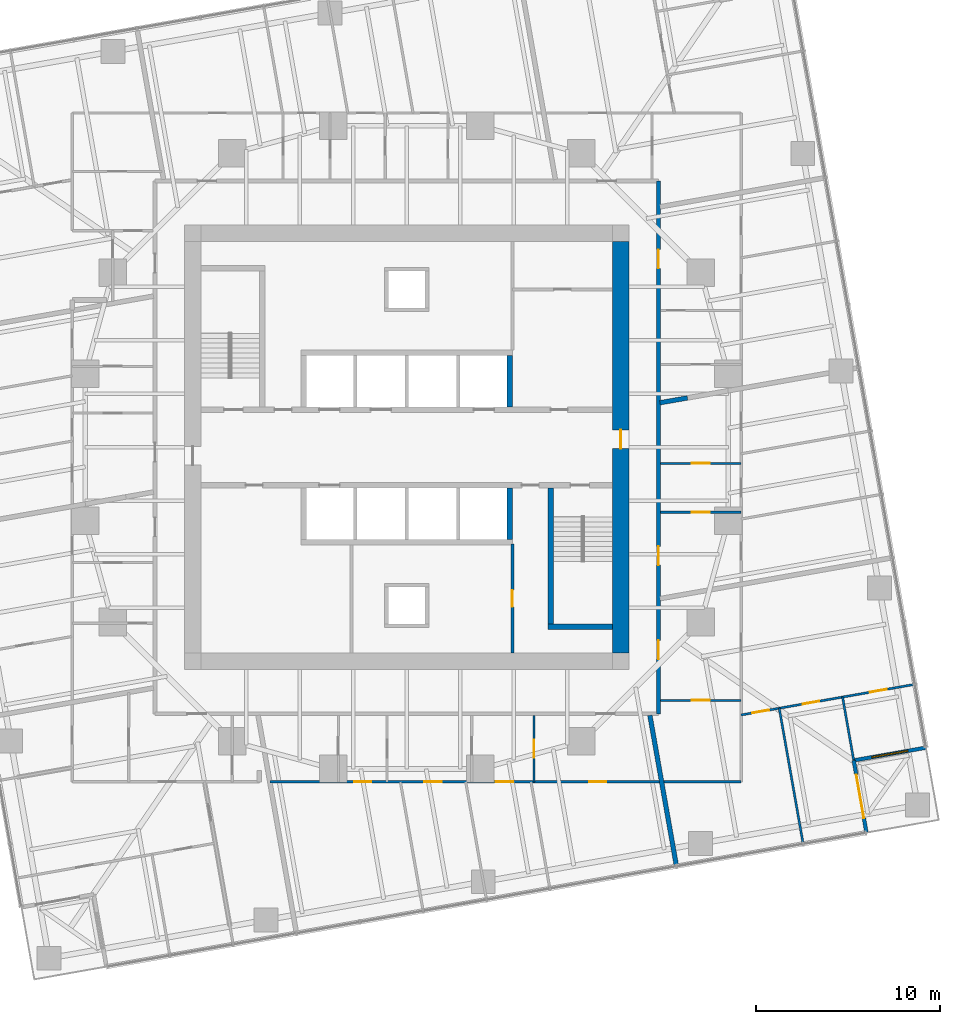
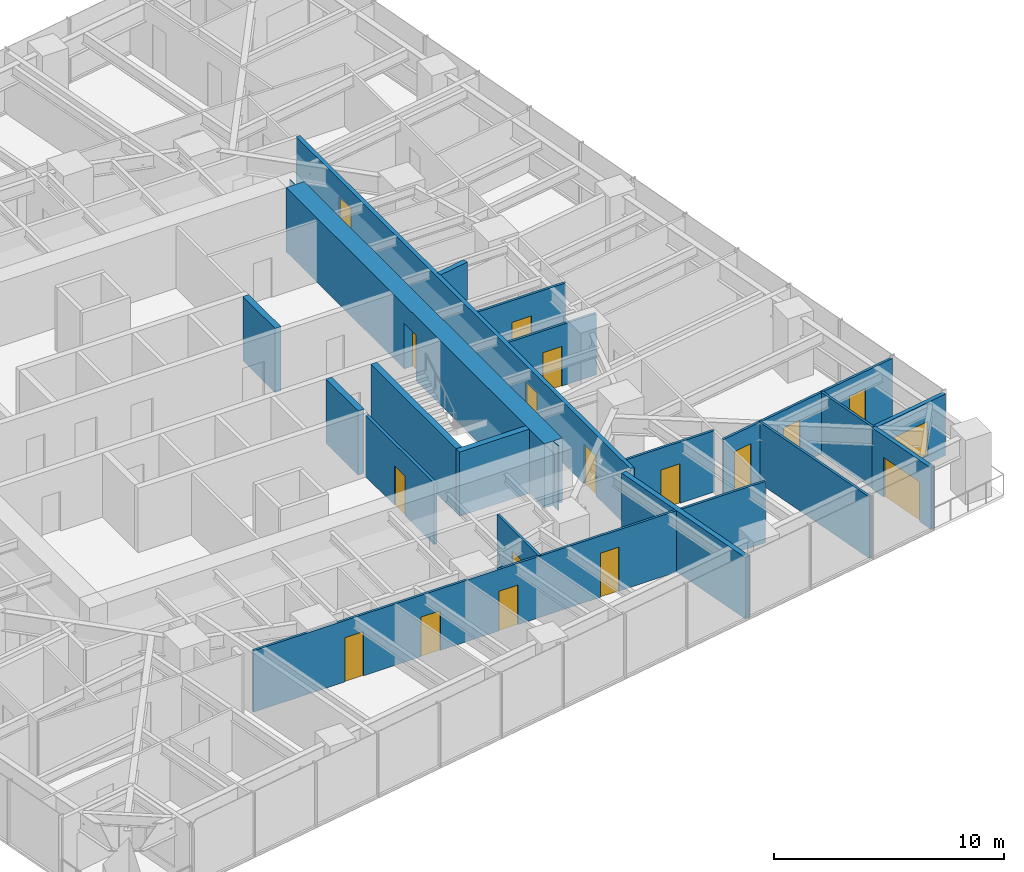
# One storey, part 10 of 14: 19 walls, 17 doors, 1 window, 18 openings.
"""IFC4 building model written with IfcOpenShell, lengths in metres."""

from ifc_helpers import new_model, si_unit, direction, frame, frame_2d, origin, place, context, subcontext, project, spatial, polyline, rectangle, outline, extrude, material, layer, layer_set, type_object, element, fill, save


model = new_model("IFC4")

# Units and contexts
model_context = context("Model", 3, precision=1e-05, world=origin(), true_north=direction((0.0, 1.0)))
body_context = subcontext(model_context, "Body", "Model", "MODEL_VIEW")
ifc_project = project(units=[si_unit("LENGTHUNIT", "METRE"), si_unit("AREAUNIT", "SQUARE_METRE"), si_unit("VOLUMEUNIT", "CUBIC_METRE"), si_unit("PLANEANGLEUNIT", "RADIAN"), si_unit("MASSUNIT", "GRAM", prefix="KILO")], contexts=[model_context])

# Site, building, storey
site_placement = place(None, origin())
site = spatial("IfcSite", under=ifc_project, at=site_placement, CompositionType="ELEMENT")
building_placement = place(site_placement, origin())
building = spatial("IfcBuilding", under=site, at=building_placement, Name="Torsade Residences", CompositionType="ELEMENT")
storey_placement = place(building_placement, frame((0.0, 0.0, 99.800048828125)))
storey = spatial("IfcBuildingStorey", under=building, at=storey_placement, Name="L27", CompositionType="ELEMENT", Elevation=99.800048828125)

# Walls
ifc_material_1 = material(Name="Concrete 80 MPa", Category="concrete")
ifc_layer_1 = layer(ifc_material_1, 0.300048828125)
ifc_layer_set_1 = layer_set([ifc_layer_1], Name="Concrete 80 MPa")
wall_type_1 = type_object("IfcWallType", Name="CORE INTERNAL WALL 300", PredefinedType="SHEAR", material=ifc_layer_set_1)
for number, where, z_axis, x_axis, name in (
    (1, (45.60009765625, 27.800048828125, 0.0), (0.0, 0.0, 1.0), (0.0, -1.0, 0.0), "Core wall DS0 L27"),
    (2, (45.60009765625, 32.199951171875, 0.0), (0.0, 0.0, 1.0), (0.0, 1.0, 0.0), "Core wall DN4 L27"),
):
    element("IfcWall", number, at=place(storey_placement, frame(where, z_axis=z_axis, x_axis=x_axis)), inside=storey, type_object=wall_type_1, Name=name, PredefinedType="SHEAR", context=body_context, shape_type="SweptSolid", body=[
        extrude(rectangle(XDim=2.800048828125, YDim=0.300048828125, at=frame_2d((1.39990234375, 0.0))), origin(), (0.0, 0.0, 1.0), 3.39990234375),
    ])
wall_1_placement = place(storey_placement, frame((47.85009765625, 27.800048828125, 0.0), z_axis=(0.0, 0.0, 1.0), x_axis=(0.0, -1.0, 0.0)))
element("IfcWall", 3, at=wall_1_placement, inside=storey, type_object=wall_type_1, Name="Core wall ST2W L27", PredefinedType="SHEAR", context=body_context, shape_type="SweptSolid", body=[
    extrude(rectangle(XDim=7.699951171875, YDim=0.300048828125, at=frame_2d((3.85009765625, 0.0))), origin(), (0.0, 0.0, 1.0), 3.39990234375),
])
wall_2_placement = place(storey_placement, frame((51.199951171875, 20.25, 0.0), z_axis=(0.0, 0.0, 1.0), x_axis=(-1.0, 0.0, 0.0)))
element("IfcWall", 4, at=wall_2_placement, inside=storey, type_object=wall_type_1, Name="Core wall ST2S L27", PredefinedType="SHEAR", context=body_context, shape_type="SweptSolid", body=[
    extrude(rectangle(XDim=3.5, YDim=0.300048828125, at=frame_2d((1.75, 0.0))), origin(), (0.0, 0.0, 1.0), 3.39990234375),
])

# Wall, opening, door
ifc_material_2 = material(Name="Concrete 80 MPa", Category="concrete")
ifc_layer_2 = layer(ifc_material_2, 0.89990234375)
ifc_layer_set_2 = layer_set([ifc_layer_2], Name="Concrete 80 MPa")
wall_type_2 = type_object("IfcWallType", Name="CORE WALL 900", PredefinedType="SHEAR", material=ifc_layer_set_2)
wall_3_placement = place(storey_placement, frame((51.64990234375, 18.800048828125, 0.0), z_axis=(0.0, 0.0, 1.0), x_axis=(0.0, 1.0, 0.0)))
wall_3 = element("IfcWall", 5, at=wall_3_placement, inside=storey, type_object=wall_type_2, Name="Core wall E L27", PredefinedType="SHEAR", context=body_context, shape_type="SweptSolid", body=[
    extrude(outline(polyline([(0.0, -0.449951171875), (22.39990234375, -0.449951171875), (22.39990234375, -0.02490234375), (22.849853515625, -0.02490234375), (22.849853515625, 0.02490234375), (22.39990234375, 0.02490234375), (22.39990234375, 0.449951171875), (0.0, 0.449951171875), (0.0, 0.02490234375), (-0.449951171875, 0.02490234375), (-0.449951171875, -0.02490234375), (0.0, -0.02490234375), (0.0, -0.449951171875)])), origin(), (0.0, 0.0, 1.0), 3.39990234375),
])
opening_1_placement = place(wall_3_placement, frame((11.139892578125, 0.0, 0.0)))
opening_1 = element("IfcOpeningElement", 6, at=opening_1_placement, cuts=wall_3, Name="Opening D04", PredefinedType="OPENING", context=body_context, shape_type="SweptSolid", body=[
    extrude(rectangle(XDim=1.02001953125, YDim=2.39990234375, at=frame_2d((0.510009765625, 1.199951171875))), frame((0.0, 0.4599609375, 0.0), z_axis=(0.0, -1.0, 0.0), x_axis=(1.0, 0.0, 0.0)), (0.0, 0.0, 1.0), 0.919921875),
])
ifc_material_3 = material(Name="Steel-framed fire door", Category="steel")
door_type_1 = type_object("IfcDoorType", Name="LOBBY SMOKE DOOR 1020x2400", OperationType="NOTDEFINED", PredefinedType="DOOR", material=ifc_material_3)
door_1_placement = place(opening_1_placement, origin())
door_1 = element("IfcDoor", 7, at=door_1_placement, inside=storey, type_object=door_type_1, Name="Lift lobby door E L27", OperationType="SINGLE_SWING_LEFT", OverallHeight=2.39990234375, OverallWidth=1.02001953125, PredefinedType="DOOR", context=body_context, shape_type="SweptSolid", body=[
    extrude(rectangle(XDim=1.02001953125, YDim=2.39990234375, at=frame_2d((0.510009765625, 1.199951171875))), frame((0.0, 0.02490234375, 0.0), z_axis=(0.0, -1.0, 0.0), x_axis=(1.0, 0.0, 0.0)), (0.0, 0.0, 1.0), 0.050048828125),
])
fill(opening_1, door_1)

# Wall, openings, doors
ifc_material_4 = material(Name="Plasterboard on steel stud", Category="steel")
ifc_layer_3 = layer(ifc_material_4, 0.199951171875)
ifc_layer_set_3 = layer_set([ifc_layer_3], Name="Plasterboard on steel stud")
wall_type_3 = type_object("IfcWallType", Name="CORRIDOR WALL 200", PredefinedType="PARTITIONING", material=ifc_layer_set_3)
wall_4_placement = place(storey_placement, frame((53.699951171875, 15.5, 0.0), z_axis=(0.0, 0.0, 1.0), x_axis=(0.0, 1.0, 0.0)))
wall_4 = element("IfcWall", 8, at=wall_4_placement, inside=storey, type_object=wall_type_3, Name="Corridor wall L27", PredefinedType="PARTITIONING", context=body_context, shape_type="SweptSolid", body=[
    extrude(rectangle(XDim=29.0, YDim=0.199951171875, at=frame_2d((14.5, 0.0))), origin(), (0.0, 0.0, 1.0), 3.25),
])
opening_2_placement = place(wall_4_placement, frame((24.248046875, 0.0, 0.0)))
opening_2 = element("IfcOpeningElement", 9, at=opening_2_placement, cuts=wall_4, Name="Opening D01", PredefinedType="OPENING", context=body_context, shape_type="SweptSolid", body=[
    extrude(rectangle(XDim=1.02001953125, YDim=2.340087890625, at=frame_2d((0.510009765625, 1.169921875))), frame((0.0, 0.10986328125, 0.0), z_axis=(0.0, -1.0, 0.0), x_axis=(1.0, 0.0, 0.0)), (0.0, 0.0, 1.0), 0.219970703125),
])
opening_3_placement = place(wall_4_placement, frame((2.97607421875, 0.0, 0.0)))
opening_3 = element("IfcOpeningElement", 10, at=opening_3_placement, cuts=wall_4, Name="Opening D01L", PredefinedType="OPENING", context=body_context, shape_type="SweptSolid", body=[
    extrude(rectangle(XDim=1.02001953125, YDim=2.10009765625, at=frame_2d((0.510009765625, 1.050048828125))), frame((0.0, 0.10986328125, 0.0), z_axis=(0.0, -1.0, 0.0), x_axis=(1.0, 0.0, 0.0)), (0.0, 0.0, 1.0), 0.219970703125),
])
opening_4_placement = place(wall_4_placement, frame((8.092041015625, 0.0, 0.0)))
opening_4 = element("IfcOpeningElement", 11, at=opening_4_placement, cuts=wall_4, Name="Opening D01", PredefinedType="OPENING", context=body_context, shape_type="SweptSolid", body=[
    extrude(rectangle(XDim=1.02001953125, YDim=2.340087890625, at=frame_2d((0.510009765625, 1.169921875))), frame((0.0, 0.10986328125, 0.0), z_axis=(0.0, -1.0, 0.0), x_axis=(1.0, 0.0, 0.0)), (0.0, 0.0, 1.0), 0.219970703125),
])
ifc_material_5 = material(Name="Solid-core timber fire door", Category="wood")
door_type_2 = type_object("IfcDoorType", Name="APARTMENT ENTRY DOOR 1020x2100", OperationType="NOTDEFINED", PredefinedType="DOOR", material=ifc_material_5)
door_2_placement = place(opening_3_placement, origin())
door_2 = element("IfcDoor", 12, at=door_2_placement, inside=storey, type_object=door_type_2, Name="Door Residential corridor to Kitchen and dining", OperationType="SINGLE_SWING_LEFT", OverallHeight=2.10009765625, OverallWidth=1.02001953125, PredefinedType="DOOR", context=body_context, shape_type="SweptSolid", body=[
    extrude(rectangle(XDim=1.02001953125, YDim=2.10009765625, at=frame_2d((0.510009765625, 1.050048828125))), frame((0.0, 0.02490234375, 0.0), z_axis=(0.0, -1.0, 0.0), x_axis=(1.0, 0.0, 0.0)), (0.0, 0.0, 1.0), 0.050048828125),
])
fill(opening_3, door_2)
ifc_material_6 = material(Name="Solid-core timber fire door", Category="wood")
door_type_3 = type_object("IfcDoorType", Name="APARTMENT ENTRY DOOR 1020x2340", OperationType="NOTDEFINED", PredefinedType="DOOR", material=ifc_material_6)
door_3_placement = place(opening_2_placement, origin())
door_3 = element("IfcDoor", 13, at=door_3_placement, inside=storey, type_object=door_type_3, Name="Door Residential corridor to Kitchen and dining", OperationType="SINGLE_SWING_LEFT", OverallHeight=2.340087890625, OverallWidth=1.02001953125, PredefinedType="DOOR", context=body_context, shape_type="SweptSolid", body=[
    extrude(rectangle(XDim=1.02001953125, YDim=2.340087890625, at=frame_2d((0.510009765625, 1.169921875))), frame((0.0, 0.02490234375, 0.0), z_axis=(0.0, -1.0, 0.0), x_axis=(1.0, 0.0, 0.0)), (0.0, 0.0, 1.0), 0.050048828125),
])
fill(opening_2, door_3)
door_4_placement = place(opening_4_placement, origin())
door_4 = element("IfcDoor", 14, at=door_4_placement, inside=storey, type_object=door_type_3, Name="Door Residential corridor to Kitchen and dining", OperationType="SINGLE_SWING_RIGHT", OverallHeight=2.340087890625, OverallWidth=1.02001953125, PredefinedType="DOOR", context=body_context, shape_type="SweptSolid", body=[
    extrude(rectangle(XDim=1.02001953125, YDim=2.340087890625, at=frame_2d((0.510009765625, 1.169921875))), frame((0.0, 0.02490234375, 0.0), z_axis=(0.0, -1.0, 0.0), x_axis=(1.0, 0.0, 0.0)), (0.0, 0.0, 1.0), 0.050048828125),
])
fill(opening_4, door_4)

# Wall, opening, door
ifc_material_7 = material(Name="Plasterboard on steel stud", Category="steel")
ifc_layer_4 = layer(ifc_material_7, 0.1201171875)
ifc_layer_set_4 = layer_set([ifc_layer_4], Name="Plasterboard on steel stud")
wall_type_4 = type_object("IfcWallType", Name="PARTITION 120", PredefinedType="PARTITIONING", material=ifc_layer_set_4)
wall_5_placement = place(storey_placement, frame((46.92578125, 11.800048828125, 0.0), z_axis=(0.0, 0.0, 1.0), x_axis=(0.0, 1.0, 0.0)))
wall_5 = element("IfcWall", 15, at=wall_5_placement, inside=storey, type_object=wall_type_4, Name="Partition L27", PredefinedType="PARTITIONING", context=body_context, shape_type="SweptSolid", body=[
    extrude(rectangle(XDim=3.599853515625, YDim=0.1201171875, at=frame_2d((1.7998046875, 0.0))), origin(), (0.0, 0.0, 1.0), 3.25),
])
opening_5_placement = place(wall_5_placement, frame((1.320068359375, 0.0, 0.0)))
opening_5 = element("IfcOpeningElement", 16, at=opening_5_placement, cuts=wall_5, Name="Opening D05", PredefinedType="OPENING", context=body_context, shape_type="SweptSolid", body=[
    extrude(rectangle(XDim=0.9599609375, YDim=2.10009765625, at=frame_2d((0.47998046875, 1.050048828125))), frame((0.0, 0.070068359375, 0.0), z_axis=(0.0, -1.0, 0.0), x_axis=(1.0, 0.0, 0.0)), (0.0, 0.0, 1.0), 0.14013671875),
])
ifc_material_8 = material(Name="Hollow-core timber door in a steel cavity frame", Category="steel")
door_type_4 = type_object("IfcDoorType", Name="BATHROOM CAVITY SLIDING DOOR 960", OperationType="SLIDING_TO_LEFT", PredefinedType="DOOR", material=ifc_material_8)
door_5_placement = place(opening_5_placement, origin())
door_5 = element("IfcDoor", 17, at=door_5_placement, inside=storey, type_object=door_type_4, Name="Door Kitchen and dining to Laundry", OperationType="SLIDING_TO_LEFT", OverallHeight=2.10009765625, OverallWidth=0.9599609375, PredefinedType="DOOR", context=body_context, shape_type="SweptSolid", body=[
    extrude(rectangle(XDim=0.9599609375, YDim=2.10009765625, at=frame_2d((0.47998046875, 1.050048828125))), frame((0.0, 0.02490234375, 0.0), z_axis=(0.0, -1.0, 0.0), x_axis=(1.0, 0.0, 0.0)), (0.0, 0.0, 1.0), 0.050048828125),
])
fill(opening_5, door_5)

# Wall, openings, doors
wall_6_placement = place(storey_placement, frame((58.199951171875, 11.800048828125, 0.0), z_axis=(0.0, 0.0, 1.0), x_axis=(-1.0, 0.0, 0.0)))
wall_6 = element("IfcWall", 18, at=wall_6_placement, inside=storey, type_object=wall_type_4, Name="Partition L27", PredefinedType="PARTITIONING", context=body_context, shape_type="SweptSolid", body=[
    extrude(rectangle(XDim=25.65283203125, YDim=0.1201171875, at=frame_2d((12.826416015625, 0.0))), origin(), (0.0, 0.0, 1.0), 3.25),
])
opening_6_placement = place(wall_6_placement, frame((7.341552734375, 0.0, 0.0)))
opening_6 = element("IfcOpeningElement", 19, at=opening_6_placement, cuts=wall_6, Name="Opening D02", PredefinedType="OPENING", context=body_context, shape_type="SweptSolid", body=[
    extrude(rectangle(XDim=0.919921875, YDim=2.340087890625, at=frame_2d((0.4599609375, 1.169921875))), frame((0.0, 0.070068359375, 0.0), z_axis=(0.0, -1.0, 0.0), x_axis=(1.0, 0.0, 0.0)), (0.0, 0.0, 1.0), 0.14013671875),
])
opening_7_placement = place(wall_6_placement, frame((12.394287109375, 0.0, 0.0)))
opening_7 = element("IfcOpeningElement", 20, at=opening_7_placement, cuts=wall_6, Name="Opening D05", PredefinedType="OPENING", context=body_context, shape_type="SweptSolid", body=[
    extrude(rectangle(XDim=0.9599609375, YDim=2.10009765625, at=frame_2d((0.47998046875, 1.050048828125))), frame((0.0, 0.070068359375, 0.0), z_axis=(0.0, -1.0, 0.0), x_axis=(1.0, 0.0, 0.0)), (0.0, 0.0, 1.0), 0.14013671875),
])
opening_8_placement = place(wall_6_placement, frame((16.287841796875, 0.0, 0.0)))
opening_8 = element("IfcOpeningElement", 21, at=opening_8_placement, cuts=wall_6, Name="Opening D05", PredefinedType="OPENING", context=body_context, shape_type="SweptSolid", body=[
    extrude(rectangle(XDim=0.9599609375, YDim=2.10009765625, at=frame_2d((0.47998046875, 1.050048828125))), frame((0.0, 0.070068359375, 0.0), z_axis=(0.0, -1.0, 0.0), x_axis=(1.0, 0.0, 0.0)), (0.0, 0.0, 1.0), 0.14013671875),
])
opening_9_placement = place(wall_6_placement, frame((20.13427734375, 0.0, 0.0)))
opening_9 = element("IfcOpeningElement", 22, at=opening_9_placement, cuts=wall_6, Name="Opening D02", PredefinedType="OPENING", context=body_context, shape_type="SweptSolid", body=[
    extrude(rectangle(XDim=0.919921875, YDim=2.340087890625, at=frame_2d((0.4599609375, 1.169921875))), frame((0.0, 0.070068359375, 0.0), z_axis=(0.0, -1.0, 0.0), x_axis=(1.0, 0.0, 0.0)), (0.0, 0.0, 1.0), 0.14013671875),
])
door_6_placement = place(opening_7_placement, origin())
door_6 = element("IfcDoor", 23, at=door_6_placement, inside=storey, type_object=door_type_4, Name="Door Laundry to Study 2", OperationType="SLIDING_TO_LEFT", OverallHeight=2.10009765625, OverallWidth=0.9599609375, PredefinedType="DOOR", context=body_context, shape_type="SweptSolid", body=[
    extrude(rectangle(XDim=0.9599609375, YDim=2.10009765625, at=frame_2d((0.47998046875, 1.050048828125))), frame((0.0, 0.02490234375, 0.0), z_axis=(0.0, -1.0, 0.0), x_axis=(1.0, 0.0, 0.0)), (0.0, 0.0, 1.0), 0.050048828125),
])
fill(opening_7, door_6)
door_7_placement = place(opening_8_placement, origin())
door_7 = element("IfcDoor", 24, at=door_7_placement, inside=storey, type_object=door_type_4, Name="Door Bathroom to Bedroom 2", OperationType="SLIDING_TO_LEFT", OverallHeight=2.10009765625, OverallWidth=0.9599609375, PredefinedType="DOOR", context=body_context, shape_type="SweptSolid", body=[
    extrude(rectangle(XDim=0.9599609375, YDim=2.10009765625, at=frame_2d((0.47998046875, 1.050048828125))), frame((0.0, 0.02490234375, 0.0), z_axis=(0.0, -1.0, 0.0), x_axis=(1.0, 0.0, 0.0)), (0.0, 0.0, 1.0), 0.050048828125),
])
fill(opening_8, door_7)
ifc_material_9 = material(Name="Hollow-core timber door", Category="wood")
door_type_5 = type_object("IfcDoorType", Name="INTERNAL DOOR 920x2340", OperationType="NOTDEFINED", PredefinedType="DOOR", material=ifc_material_9)
door_8_placement = place(opening_6_placement, origin())
door_8 = element("IfcDoor", 25, at=door_8_placement, inside=storey, type_object=door_type_5, Name="Door Kitchen and dining to Bedroom 1", OperationType="SINGLE_SWING_LEFT", OverallHeight=2.340087890625, OverallWidth=0.919921875, PredefinedType="DOOR", context=body_context, shape_type="SweptSolid", body=[
    extrude(rectangle(XDim=0.919921875, YDim=2.340087890625, at=frame_2d((0.4599609375, 1.169921875))), frame((0.0, 0.02490234375, 0.0), z_axis=(0.0, -1.0, 0.0), x_axis=(1.0, 0.0, 0.0)), (0.0, 0.0, 1.0), 0.050048828125),
])
fill(opening_6, door_8)
door_9_placement = place(opening_9_placement, origin())
door_9 = element("IfcDoor", 26, at=door_9_placement, inside=storey, type_object=door_type_5, Name="Door Study to Living room", OperationType="SINGLE_SWING_LEFT", OverallHeight=2.340087890625, OverallWidth=0.919921875, PredefinedType="DOOR", context=body_context, shape_type="SweptSolid", body=[
    extrude(rectangle(XDim=0.919921875, YDim=2.340087890625, at=frame_2d((0.4599609375, 1.169921875))), frame((0.0, 0.02490234375, 0.0), z_axis=(0.0, -1.0, 0.0), x_axis=(1.0, 0.0, 0.0)), (0.0, 0.0, 1.0), 0.050048828125),
])
fill(opening_9, door_9)

# Wall, opening, door
wall_7_placement = place(storey_placement, frame((58.199951171875, 16.23193359375, 0.0), z_axis=(0.0, 0.0, 1.0), x_axis=(-1.0, 0.0, 0.0)))
wall_7 = element("IfcWall", 27, at=wall_7_placement, inside=storey, type_object=wall_type_4, Name="Partition L27", PredefinedType="PARTITIONING", context=body_context, shape_type="SweptSolid", body=[
    extrude(rectangle(XDim=4.39990234375, YDim=0.1201171875, at=frame_2d((2.199951171875, 0.0))), origin(), (0.0, 0.0, 1.0), 3.25),
])
opening_10_placement = place(wall_7_placement, frame((1.719970703125, 0.0, 0.0)))
opening_10 = element("IfcOpeningElement", 28, at=opening_10_placement, cuts=wall_7, Name="Opening D05", PredefinedType="OPENING", context=body_context, shape_type="SweptSolid", body=[
    extrude(rectangle(XDim=0.9599609375, YDim=2.10009765625, at=frame_2d((0.47998046875, 1.050048828125))), frame((0.0, 0.070068359375, 0.0), z_axis=(0.0, -1.0, 0.0), x_axis=(1.0, 0.0, 0.0)), (0.0, 0.0, 1.0), 0.14013671875),
])
door_10_placement = place(opening_10_placement, origin())
door_10 = element("IfcDoor", 29, at=door_10_placement, inside=storey, type_object=door_type_4, Name="Door Kitchen and dining to Bathroom", OperationType="SLIDING_TO_LEFT", OverallHeight=2.10009765625, OverallWidth=0.9599609375, PredefinedType="DOOR", context=body_context, shape_type="SweptSolid", body=[
    extrude(rectangle(XDim=0.9599609375, YDim=2.10009765625, at=frame_2d((0.47998046875, 1.050048828125))), frame((0.0, 0.02490234375, 0.0), z_axis=(0.0, -1.0, 0.0), x_axis=(1.0, 0.0, 0.0)), (0.0, 0.0, 1.0), 0.050048828125),
])
fill(opening_10, door_10)

# Wall, openings, doors
wall_8_placement = place(storey_placement, frame((67.61962890625, 17.10009765625, 0.0), z_axis=(0.0, 0.0, 1.0), x_axis=(-0.984808730291, -0.173642635155, 0.0)))
wall_8 = element("IfcWall", 30, at=wall_8_placement, inside=storey, type_object=wall_type_4, Name="Partition L27", PredefinedType="PARTITIONING", context=body_context, shape_type="SweptSolid", body=[
    extrude(rectangle(XDim=9.56494140625, YDim=0.1201171875, at=frame_2d((4.782470703125, 0.0))), origin(), (0.0, 0.0, 1.0), 3.25),
])
opening_11_placement = place(wall_8_placement, frame((1.525146484375, 0.0, 0.0)))
opening_11 = element("IfcOpeningElement", 31, at=opening_11_placement, cuts=wall_8, Name="Opening D02", PredefinedType="OPENING", context=body_context, shape_type="SweptSolid", body=[
    extrude(rectangle(XDim=0.919921875, YDim=2.340087890625, at=frame_2d((0.4599609375, 1.169921875))), frame((0.0, 0.070068359375, 0.0), z_axis=(0.0, -1.0, 0.0), x_axis=(1.0, 0.0, 0.0)), (0.0, 0.0, 1.0), 0.14013671875),
])
opening_12_placement = place(wall_8_placement, frame((5.25, 0.0, 0.0)))
opening_12 = element("IfcOpeningElement", 32, at=opening_12_placement, cuts=wall_8, Name="Opening D02", PredefinedType="OPENING", context=body_context, shape_type="SweptSolid", body=[
    extrude(rectangle(XDim=0.919921875, YDim=2.340087890625, at=frame_2d((0.4599609375, 1.169921875))), frame((0.0, 0.070068359375, 0.0), z_axis=(0.0, -1.0, 0.0), x_axis=(1.0, 0.0, 0.0)), (0.0, 0.0, 1.0), 0.14013671875),
])
opening_13_placement = place(wall_8_placement, frame((8.027587890625, 0.0, 0.0)))
opening_13 = element("IfcOpeningElement", 33, at=opening_13_placement, cuts=wall_8, Name="Opening D02", PredefinedType="OPENING", context=body_context, shape_type="SweptSolid", body=[
    extrude(rectangle(XDim=0.919921875, YDim=2.340087890625, at=frame_2d((0.4599609375, 1.169921875))), frame((0.0, 0.070068359375, 0.0), z_axis=(0.0, -1.0, 0.0), x_axis=(1.0, 0.0, 0.0)), (0.0, 0.0, 1.0), 0.14013671875),
])
door_11_placement = place(opening_11_placement, origin())
door_11 = element("IfcDoor", 34, at=door_11_placement, inside=storey, type_object=door_type_5, Name="Door Living room to Study", OperationType="SINGLE_SWING_RIGHT", OverallHeight=2.340087890625, OverallWidth=0.919921875, PredefinedType="DOOR", context=body_context, shape_type="SweptSolid", body=[
    extrude(rectangle(XDim=0.919921875, YDim=2.340087890625, at=frame_2d((0.4599609375, 1.169921875))), frame((0.0, 0.02490234375, 0.0), z_axis=(0.0, -1.0, 0.0), x_axis=(1.0, 0.0, 0.0)), (0.0, 0.0, 1.0), 0.050048828125),
])
fill(opening_11, door_11)
door_12_placement = place(opening_12_placement, origin())
door_12 = element("IfcDoor", 35, at=door_12_placement, inside=storey, type_object=door_type_5, Name="Door Living room to Bedroom 2", OperationType="SINGLE_SWING_RIGHT", OverallHeight=2.340087890625, OverallWidth=0.919921875, PredefinedType="DOOR", context=body_context, shape_type="SweptSolid", body=[
    extrude(rectangle(XDim=0.919921875, YDim=2.340087890625, at=frame_2d((0.4599609375, 1.169921875))), frame((0.0, 0.02490234375, 0.0), z_axis=(0.0, -1.0, 0.0), x_axis=(1.0, 0.0, 0.0)), (0.0, 0.0, 1.0), 0.050048828125),
])
fill(opening_12, door_12)
door_13_placement = place(opening_13_placement, origin())
door_13 = element("IfcDoor", 36, at=door_13_placement, inside=storey, type_object=door_type_5, Name="Door Living room to Bedroom 1", OperationType="SINGLE_SWING_LEFT", OverallHeight=2.340087890625, OverallWidth=0.919921875, PredefinedType="DOOR", context=body_context, shape_type="SweptSolid", body=[
    extrude(rectangle(XDim=0.919921875, YDim=2.340087890625, at=frame_2d((0.4599609375, 1.169921875))), frame((0.0, 0.02490234375, 0.0), z_axis=(0.0, -1.0, 0.0), x_axis=(1.0, 0.0, 0.0)), (0.0, 0.0, 1.0), 0.050048828125),
])
fill(opening_13, door_13)

# Walls
wall_9_placement = place(storey_placement, frame((60.27294921875, 15.8046875, 0.0), z_axis=(0.0, 0.0, 1.0), x_axis=(0.173647177755, -0.984807929323, 0.0)))
element("IfcWall", 37, at=wall_9_placement, inside=storey, type_object=wall_type_4, Name="Partition L27", PredefinedType="PARTITIONING", context=body_context, shape_type="SweptSolid", body=[
    extrude(rectangle(XDim=7.4599609375, YDim=0.1201171875, at=frame_2d((3.72998046875, 0.0))), origin(), (0.0, 0.0, 1.0), 3.25),
])
wall_10_placement = place(storey_placement, frame((63.7197265625, 16.412353515625, 0.0), z_axis=(0.0, 0.0, 1.0), x_axis=(0.173660541335, -0.984805572884, 0.0)))
element("IfcWall", 38, at=wall_10_placement, inside=storey, type_object=wall_type_4, Name="Partition L27", PredefinedType="PARTITIONING", context=body_context, shape_type="SweptSolid", body=[
    extrude(rectangle(XDim=3.459716796875, YDim=0.1201171875, at=frame_2d((1.72998046875, 0.0))), origin(), (0.0, 0.0, 1.0), 3.25),
])

# Wall, opening, door
wall_11_placement = place(storey_placement, frame((53.800048828125, 26.471923828125, 0.0), z_axis=(0.0, 0.0, 1.0), x_axis=(1.0, 0.0, 0.0)))
wall_11 = element("IfcWall", 39, at=wall_11_placement, inside=storey, type_object=wall_type_4, Name="Partition L27", PredefinedType="PARTITIONING", context=body_context, shape_type="SweptSolid", body=[
    extrude(rectangle(XDim=4.39990234375, YDim=0.1201171875, at=frame_2d((2.199951171875, 0.0))), origin(), (0.0, 0.0, 1.0), 3.25),
])
opening_14_placement = place(wall_11_placement, frame((1.719970703125, 0.0, 0.0)))
opening_14 = element("IfcOpeningElement", 40, at=opening_14_placement, cuts=wall_11, Name="Opening D05", PredefinedType="OPENING", context=body_context, shape_type="SweptSolid", body=[
    extrude(rectangle(XDim=0.9599609375, YDim=2.10009765625, at=frame_2d((0.47998046875, 1.050048828125))), frame((0.0, 0.070068359375, 0.0), z_axis=(0.0, -1.0, 0.0), x_axis=(1.0, 0.0, 0.0)), (0.0, 0.0, 1.0), 0.14013671875),
])
door_14_placement = place(opening_14_placement, origin())
door_14 = element("IfcDoor", 41, at=door_14_placement, inside=storey, type_object=door_type_4, Name="Door Kitchen and dining to Ensuite", OperationType="SLIDING_TO_LEFT", OverallHeight=2.10009765625, OverallWidth=0.9599609375, PredefinedType="DOOR", context=body_context, shape_type="SweptSolid", body=[
    extrude(rectangle(XDim=0.9599609375, YDim=2.10009765625, at=frame_2d((0.47998046875, 1.050048828125))), frame((0.0, 0.02490234375, 0.0), z_axis=(0.0, -1.0, 0.0), x_axis=(1.0, 0.0, 0.0)), (0.0, 0.0, 1.0), 0.050048828125),
])
fill(opening_14, door_14)

wall_12_placement = place(storey_placement, frame((58.199951171875, 29.131103515625, 0.0), z_axis=(0.0, 0.0, 1.0), x_axis=(-1.0, 0.0, 0.0)))
wall_12 = element("IfcWall", 42, at=wall_12_placement, inside=storey, type_object=wall_type_4, Name="Partition L27", PredefinedType="PARTITIONING", context=body_context, shape_type="SweptSolid", body=[
    extrude(rectangle(XDim=4.39990234375, YDim=0.1201171875, at=frame_2d((2.199951171875, 0.0))), origin(), (0.0, 0.0, 1.0), 3.25),
])
opening_15_placement = place(wall_12_placement, frame((1.719970703125, 0.0, 0.0)))
opening_15 = element("IfcOpeningElement", 43, at=opening_15_placement, cuts=wall_12, Name="Opening D05", PredefinedType="OPENING", context=body_context, shape_type="SweptSolid", body=[
    extrude(rectangle(XDim=0.9599609375, YDim=2.10009765625, at=frame_2d((0.47998046875, 1.050048828125))), frame((0.0, 0.070068359375, 0.0), z_axis=(0.0, -1.0, 0.0), x_axis=(1.0, 0.0, 0.0)), (0.0, 0.0, 1.0), 0.14013671875),
])
door_15_placement = place(opening_15_placement, origin())
door_15 = element("IfcDoor", 44, at=door_15_placement, inside=storey, type_object=door_type_4, Name="Door Ensuite to Bathroom", OperationType="SLIDING_TO_LEFT", OverallHeight=2.10009765625, OverallWidth=0.9599609375, PredefinedType="DOOR", context=body_context, shape_type="SweptSolid", body=[
    extrude(rectangle(XDim=0.9599609375, YDim=2.10009765625, at=frame_2d((0.47998046875, 1.050048828125))), frame((0.0, 0.02490234375, 0.0), z_axis=(0.0, -1.0, 0.0), x_axis=(1.0, 0.0, 0.0)), (0.0, 0.0, 1.0), 0.050048828125),
])
fill(opening_15, door_15)

# Walls
ifc_material_10 = material(Name="Masonry-lined stud party wall", Category="masonry")
ifc_layer_5 = layer(ifc_material_10, 0.25)
ifc_layer_set_5 = layer_set([ifc_layer_5], Name="Masonry-lined stud party wall")
wall_type_5 = type_object("IfcWallType", Name="PARTY WALL 250", PredefinedType="PARTITIONING", material=ifc_layer_set_5)
wall_13_placement = place(storey_placement, frame((54.681640625, 7.203125, 0.0), z_axis=(0.0, 0.0, 1.0), x_axis=(-0.173651756605, 0.984807121942, 0.0)))
element("IfcWall", 45, at=wall_13_placement, inside=storey, type_object=wall_type_5, Name="Party wall L27", PredefinedType="PARTITIONING", context=body_context, shape_type="SweptSolid", body=[
    extrude(rectangle(XDim=8.34130859375, YDim=0.25, at=frame_2d((4.170654296875, 0.0))), origin(), (0.0, 0.0, 1.0), 3.25),
])
wall_14_placement = place(storey_placement, frame((55.28076171875, 32.6943359375, 0.0), z_axis=(0.0, 0.0, 1.0), x_axis=(-0.984815846312, -0.173602272028, 0.0)))
element("IfcWall", 46, at=wall_14_placement, inside=storey, type_object=wall_type_5, Name="Party wall L27", PredefinedType="PARTITIONING", context=body_context, shape_type="SweptSolid", body=[
    extrude(rectangle(XDim=1.521728515625, YDim=0.25, at=frame_2d((0.7607421875, 0.0))), origin(), (0.0, 0.0, 1.0), 3.25),
])

# Wall, opening, door
ifc_material_11 = material(Name="Reinforced blockwork", Category="masonry")
ifc_layer_6 = layer(ifc_material_11, 0.14990234375)
ifc_layer_set_6 = layer_set([ifc_layer_6], Name="Reinforced blockwork")
wall_type_6 = type_object("IfcWallType", Name="SERVICE ROOM WALL 150", PredefinedType="SOLIDWALL", material=ifc_layer_set_6)
wall_15_placement = place(storey_placement, frame((45.75, 18.800048828125, 0.0), z_axis=(0.0, 0.0, 1.0), x_axis=(0.0, 1.0, 0.0)))
wall_15 = element("IfcWall", 47, at=wall_15_placement, inside=storey, type_object=wall_type_6, Name="Service room wall L27", PredefinedType="SOLIDWALL", context=body_context, shape_type="SweptSolid", body=[
    extrude(rectangle(XDim=5.949951171875, YDim=0.14990234375, at=frame_2d((2.97509765625, 0.0))), origin(), (0.0, 0.0, 1.0), 3.25),
])
opening_16_placement = place(wall_15_placement, frame((2.514892578125, 0.0, 0.0)))
opening_16 = element("IfcOpeningElement", 48, at=opening_16_placement, cuts=wall_15, Name="Opening D06", PredefinedType="OPENING", context=body_context, shape_type="SweptSolid", body=[
    extrude(rectangle(XDim=0.919921875, YDim=2.10009765625, at=frame_2d((0.4599609375, 1.050048828125))), frame((0.0, 0.0849609375, 0.0), z_axis=(0.0, -1.0, 0.0), x_axis=(1.0, 0.0, 0.0)), (0.0, 0.0, 1.0), 0.169921875),
])
ifc_material_12 = material(Name="Steel-framed fire door", Category="steel")
door_type_6 = type_object("IfcDoorType", Name="FIRE DOOR 920", OperationType="NOTDEFINED", PredefinedType="DOOR", material=ifc_material_12)
door_16_placement = place(opening_16_placement, origin())
door_16 = element("IfcDoor", 49, at=door_16_placement, inside=storey, type_object=door_type_6, Name="Door Security and data store to Communications riser room", OperationType="SINGLE_SWING_RIGHT", OverallHeight=2.10009765625, OverallWidth=0.919921875, PredefinedType="DOOR", context=body_context, shape_type="SweptSolid", body=[
    extrude(rectangle(XDim=0.919921875, YDim=2.10009765625, at=frame_2d((0.4599609375, 1.050048828125))), frame((0.0, 0.02490234375, 0.0), z_axis=(0.0, -1.0, 0.0), x_axis=(1.0, 0.0, 0.0)), (0.0, 0.0, 1.0), 0.050048828125),
])
fill(opening_16, door_16)

ifc_material_13 = material(Name="Stone-faced precast concrete 40 MPa panel", Category="masonry")
ifc_layer_7 = layer(ifc_material_13, 0.199951171875)
ifc_layer_set_7 = layer_set([ifc_layer_7], Name="Stone-faced precast concrete 40 MPa panel")
wall_type_7 = type_object("IfcWallType", Name="TERRACE WALL 200", PredefinedType="SOLIDWALL", material=ifc_layer_set_7)
wall_16_placement = place(storey_placement, frame((65.022216796875, 9.0263671875, 0.0), z_axis=(0.0, 0.0, 1.0), x_axis=(-0.173646056486, 0.984808127031, 0.0)))
wall_16 = element("IfcWall", 50, at=wall_16_placement, inside=storey, type_object=wall_type_7, Name="Terrace wall L27 2", PredefinedType="SOLIDWALL", context=body_context, shape_type="SweptSolid", body=[
    extrude(rectangle(XDim=4.0, YDim=0.199951171875, at=frame_2d((2.0, 0.0))), origin(), (0.0, 0.0, 1.0), 3.25),
])
opening_17_placement = place(wall_16_placement, frame((0.800048828125, 0.0, 0.0)))
opening_17 = element("IfcOpeningElement", 51, at=opening_17_placement, cuts=wall_16, Name="Opening D10A", PredefinedType="OPENING", context=body_context, shape_type="SweptSolid", body=[
    extrude(rectangle(XDim=2.39990234375, YDim=2.10009765625, at=frame_2d((1.199951171875, 1.050048828125))), frame((0.0, 0.10986328125, 0.0), z_axis=(0.0, -1.0, 0.0), x_axis=(1.0, 0.0, 0.0)), (0.0, 0.0, 1.0), 0.219970703125),
])
ifc_material_14 = material(Name="Aluminium-framed glass door", Category="aluminium")
door_type_7 = type_object("IfcDoorType", Name="TERRACE SLIDING DOOR 2400x2100", OperationType="SLIDING_TO_LEFT", PredefinedType="DOOR", material=ifc_material_14)
door_17_placement = place(opening_17_placement, origin())
door_17 = element("IfcDoor", 52, at=door_17_placement, inside=storey, type_object=door_type_7, Name="Terrace door L27 2", OperationType="SLIDING_TO_LEFT", OverallHeight=2.10009765625, OverallWidth=2.39990234375, PredefinedType="DOOR", context=body_context, shape_type="SweptSolid", body=[
    extrude(rectangle(XDim=2.39990234375, YDim=2.10009765625, at=frame_2d((1.199951171875, 1.050048828125))), frame((0.0, 0.02490234375, 0.0), z_axis=(0.0, -1.0, 0.0), x_axis=(1.0, 0.0, 0.0)), (0.0, 0.0, 1.0), 0.050048828125),
])
fill(opening_17, door_17)

# Wall, opening, window
wall_17_placement = place(storey_placement, frame((64.32763671875, 12.965576171875, 0.0), z_axis=(0.0, 0.0, 1.0), x_axis=(0.984808127031, 0.173646056486, 0.0)))
wall_17 = element("IfcWall", 53, at=wall_17_placement, inside=storey, type_object=wall_type_7, Name="Terrace wall L27 3", PredefinedType="SOLIDWALL", context=body_context, shape_type="SweptSolid", body=[
    extrude(rectangle(XDim=4.0, YDim=0.199951171875, at=frame_2d((2.0, 0.0))), origin(), (0.0, 0.0, 1.0), 3.25),
])
opening_18_placement = place(wall_17_placement, frame((1.0, 0.0, 0.449951171875)))
opening_18 = element("IfcOpeningElement", 54, at=opening_18_placement, cuts=wall_17, Name="Opening W1B", PredefinedType="OPENING", context=body_context, shape_type="SweptSolid", body=[
    extrude(rectangle(XDim=2.0, YDim=1.800048828125, at=frame_2d((1.0, 0.89990234375))), frame((0.0, 0.10986328125, 0.0), z_axis=(0.0, -1.0, 0.0), x_axis=(1.0, 0.0, 0.0)), (0.0, 0.0, 1.0), 0.219970703125),
])
ifc_material_15 = material(Name="Aluminium-framed glass window", Category="aluminium")
window_type = type_object("IfcWindowType", Name="TERRACE WINDOW 2000x1800", PartitioningType="SINGLE_PANEL", PredefinedType="WINDOW", material=ifc_material_15)
window_placement = place(opening_18_placement, origin())
window = element("IfcWindow", 55, at=window_placement, inside=storey, type_object=window_type, Name="Terrace window L27 3", OverallHeight=1.800048828125, OverallWidth=2.0, PartitioningType="SINGLE_PANEL", PredefinedType="WINDOW", context=body_context, shape_type="SweptSolid", body=[
    extrude(rectangle(XDim=2.0, YDim=1.800048828125, at=frame_2d((1.0, 0.89990234375))), frame((0.0, 0.030029296875, 0.0), z_axis=(0.0, -1.0, 0.0), x_axis=(1.0, 0.0, 0.0)), (0.0, 0.0, 1.0), 0.06005859375),
])
fill(opening_18, window)

save(model, "model.ifc")
